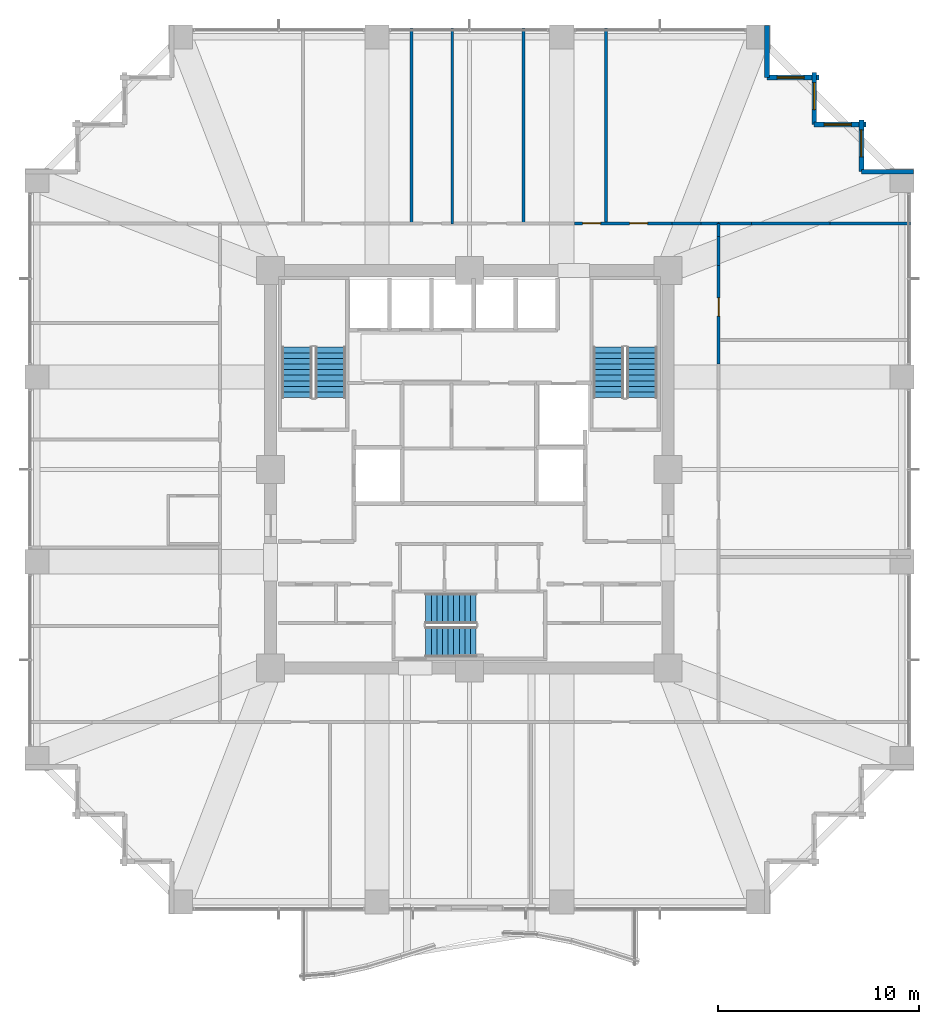
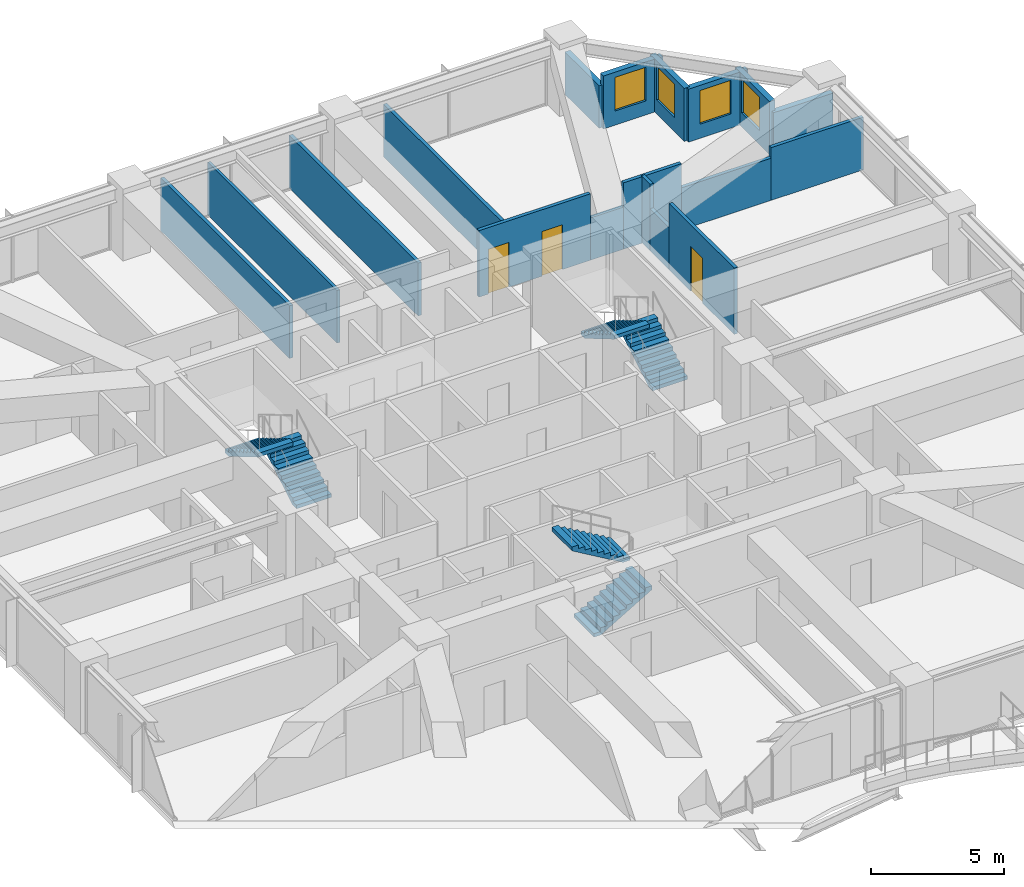
# One storey, part 36 of 37: 19 walls, 6 stair flights, 4 windows, 3 doors, 7 openings, 3 elements without a shape of their own.
"""IFC4 building model written with IfcOpenShell, lengths in metres."""

from ifc_helpers import new_model, si_unit, direction, frame, frame_2d, origin, place, context, subcontext, project, spatial, polyline, rectangle, outline, extrude, material, layer, layer_set, type_object, element, fill, aggregate, save


model = new_model("IFC4")

# Units and contexts
model_context = context("Model", 3, precision=1e-05, world=origin(), true_north=direction((0.0, 1.0)))
body_context = subcontext(model_context, "Body", "Model", "MODEL_VIEW")
ifc_project = project(units=[si_unit("LENGTHUNIT", "METRE"), si_unit("AREAUNIT", "SQUARE_METRE"), si_unit("VOLUMEUNIT", "CUBIC_METRE"), si_unit("PLANEANGLEUNIT", "RADIAN"), si_unit("MASSUNIT", "GRAM", prefix="KILO")], contexts=[model_context])

# Site, building, storey
site_placement = place(None, origin())
site = spatial("IfcSite", under=ifc_project, at=site_placement, CompositionType="ELEMENT")
building_placement = place(site_placement, origin())
building = spatial("IfcBuilding", under=site, at=building_placement, Name="Kolvaren Belvedere", CompositionType="ELEMENT")
storey_placement = place(building_placement, frame((0.0, 0.0, 37.0)))
storey = spatial("IfcBuildingStorey", under=building, at=storey_placement, Name="L10", CompositionType="ELEMENT", Elevation=37.0)

# Wall, openings, doors
ifc_material_1 = material(Name="Gypsum fire-rated partition assembly", Category="gypsum")
ifc_layer_1 = layer(ifc_material_1, 0.14990234375)
ifc_layer_set_1 = layer_set([ifc_layer_1], Name="Gypsum fire-rated partition assembly")
wall_type_1 = type_object("IfcWallType", Name="WL-CORR-150", PredefinedType="PARTITIONING", material=ifc_layer_set_1)
wall_1_placement = place(storey_placement, frame((5.241943359375, 12.260009765625, 0.0), z_axis=(0.0, 0.0, 1.0), x_axis=(1.0, 0.0, 0.0)))
wall_1 = element("IfcWall", 1, at=wall_1_placement, inside=storey, type_object=wall_type_1, Name="L10 North Corridor Wall", PredefinedType="PARTITIONING", context=body_context, shape_type="SweptSolid", body=[
    extrude(rectangle(XDim=4.849853515625, YDim=0.14990234375, at=frame_2d((2.4248046875, 0.0))), origin(), (0.0, 0.0, 1.0), 3.06005859375),
])
opening_1_placement = place(wall_1_placement, frame((0.401123046875, 0.0, 0.0)))
opening_1 = element("IfcOpeningElement", 2, at=opening_1_placement, cuts=wall_1, Name="Opening D-INT90", PredefinedType="OPENING", context=body_context, shape_type="SweptSolid", body=[
    extrude(rectangle(XDim=0.89990234375, YDim=2.06005859375, at=frame_2d((0.449951171875, 1.030029296875))), frame((0.0, 0.0849609375, 0.0), z_axis=(0.0, -1.0, 0.0), x_axis=(1.0, 0.0, 0.0)), (0.0, 0.0, 1.0), 0.169921875),
])
opening_2_placement = place(wall_1_placement, frame((2.736083984375, 0.0, 0.0)))
opening_2 = element("IfcOpeningElement", 3, at=opening_2_placement, cuts=wall_1, Name="Opening D-INT90", PredefinedType="OPENING", context=body_context, shape_type="SweptSolid", body=[
    extrude(rectangle(XDim=0.89990234375, YDim=2.06005859375, at=frame_2d((0.449951171875, 1.030029296875))), frame((0.0, 0.0849609375, 0.0), z_axis=(0.0, -1.0, 0.0), x_axis=(1.0, 0.0, 0.0)), (0.0, 0.0, 1.0), 0.169921875),
])
ifc_material_2 = material(Name="Stained Pacific white oak", Category="timber")
door_type = type_object("IfcDoorType", Name="DR-INT-900", OperationType="NOTDEFINED", PredefinedType="DOOR", material=ifc_material_2)
door_1_placement = place(opening_1_placement, origin())
door_1 = element("IfcDoor", 4, at=door_1_placement, inside=storey, type_object=door_type, Name="L10 Lounge 1014 Door", OperationType="SINGLE_SWING_RIGHT", OverallHeight=2.06005859375, OverallWidth=0.89990234375, PredefinedType="DOOR", context=body_context, shape_type="SweptSolid", body=[
    extrude(rectangle(XDim=0.89990234375, YDim=2.06005859375, at=frame_2d((0.449951171875, 1.030029296875))), frame((0.0, 0.02490234375, 0.0), z_axis=(0.0, -1.0, 0.0), x_axis=(1.0, 0.0, 0.0)), (0.0, 0.0, 1.0), 0.050048828125),
])
fill(opening_1, door_1)
door_2_placement = place(opening_2_placement, origin())
door_2 = element("IfcDoor", 5, at=door_2_placement, inside=storey, type_object=door_type, Name="L10 Lounge 1015 Door", OperationType="SINGLE_SWING_LEFT", OverallHeight=2.06005859375, OverallWidth=0.89990234375, PredefinedType="DOOR", context=body_context, shape_type="SweptSolid", body=[
    extrude(rectangle(XDim=0.89990234375, YDim=2.06005859375, at=frame_2d((0.449951171875, 1.030029296875))), frame((0.0, 0.02490234375, 0.0), z_axis=(0.0, -1.0, 0.0), x_axis=(1.0, 0.0, 0.0)), (0.0, 0.0, 1.0), 0.050048828125),
])
fill(opening_2, door_2)

# Walls
wall_2_placement = place(storey_placement, frame((10.091796875, 12.260009765625, 0.0), z_axis=(0.0, 0.0, 1.0), x_axis=(1.0, 0.0, 0.0)))
element("IfcWall", 6, at=wall_2_placement, inside=storey, type_object=wall_type_1, Name="L10 North Corridor Wall", PredefinedType="PARTITIONING", context=body_context, shape_type="SweptSolid", body=[
    extrude(rectangle(XDim=1.439453125, YDim=0.14990234375, at=frame_2d((0.7197265625, 0.0))), origin(), (0.0, 0.0, 1.0), 1.945068359375),
])
wall_3_placement = place(storey_placement, frame((11.53125, 12.260009765625, 0.0), z_axis=(0.0, 0.0, 1.0), x_axis=(1.0, 0.0, 0.0)))
element("IfcWall", 7, at=wall_3_placement, inside=storey, type_object=wall_type_1, Name="L10 North Corridor Wall", PredefinedType="PARTITIONING", context=body_context, shape_type="SweptSolid", body=[
    extrude(rectangle(XDim=0.888671875, YDim=0.14990234375, at=frame_2d((0.4443359375, 0.0))), origin(), (0.0, 0.0, 1.0), 3.06005859375),
])

# Wall, opening, door
wall_4_placement = place(storey_placement, frame((12.419921875, 5.241943359375, 0.0), z_axis=(0.0, 0.0, 1.0), x_axis=(0.0, 1.0, 0.0)))
wall_4 = element("IfcWall", 8, at=wall_4_placement, inside=storey, type_object=wall_type_1, Name="L10 East Corridor Wall", PredefinedType="PARTITIONING", context=body_context, shape_type="SweptSolid", body=[
    extrude(rectangle(XDim=4.911865234375, YDim=0.14990234375, at=frame_2d((2.4560546875, 0.0))), origin(), (0.0, 0.0, 1.0), 3.06005859375),
])
opening_3_placement = place(wall_4_placement, frame((2.3974609375, 0.0, 0.0)))
opening_3 = element("IfcOpeningElement", 9, at=opening_3_placement, cuts=wall_4, Name="Opening D-INT90", PredefinedType="OPENING", context=body_context, shape_type="SweptSolid", body=[
    extrude(rectangle(XDim=0.89990234375, YDim=2.06005859375, at=frame_2d((0.449951171875, 1.030029296875))), frame((0.0, 0.0849609375, 0.0), z_axis=(0.0, -1.0, 0.0), x_axis=(1.0, 0.0, 0.0)), (0.0, 0.0, 1.0), 0.169921875),
])
door_3_placement = place(opening_3_placement, origin())
door_3 = element("IfcDoor", 10, at=door_3_placement, inside=storey, type_object=door_type, Name="L10 Panoramic Quiet Lounge 1006 Door", OperationType="SINGLE_SWING_LEFT", OverallHeight=2.06005859375, OverallWidth=0.89990234375, PredefinedType="DOOR", context=body_context, shape_type="SweptSolid", body=[
    extrude(rectangle(XDim=0.89990234375, YDim=2.06005859375, at=frame_2d((0.449951171875, 1.030029296875))), frame((0.0, 0.02490234375, 0.0), z_axis=(0.0, -1.0, 0.0), x_axis=(1.0, 0.0, 0.0)), (0.0, 0.0, 1.0), 0.050048828125),
])
fill(opening_3, door_3)

# Walls
wall_5_placement = place(storey_placement, frame((12.419921875, 10.15380859375, 0.0), z_axis=(0.0, 0.0, 1.0), x_axis=(0.0, 1.0, 0.0)))
element("IfcWall", 11, at=wall_5_placement, inside=storey, type_object=wall_type_1, Name="L10 East Corridor Wall", PredefinedType="PARTITIONING", context=body_context, shape_type="SweptSolid", body=[
    extrude(rectangle(XDim=1.439208984375, YDim=0.14990234375, at=frame_2d((0.7197265625, 0.0))), origin(), (0.0, 0.0, 1.0), 1.945068359375),
])
wall_6_placement = place(storey_placement, frame((12.419921875, 11.593017578125, 0.0), z_axis=(0.0, 0.0, 1.0), x_axis=(0.0, 1.0, 0.0)))
element("IfcWall", 12, at=wall_6_placement, inside=storey, type_object=wall_type_1, Name="L10 East Corridor Wall", PredefinedType="PARTITIONING", context=body_context, shape_type="SweptSolid", body=[
    extrude(rectangle(XDim=0.6669921875, YDim=0.14990234375, at=frame_2d((0.33349609375, 0.0))), origin(), (0.0, 0.0, 1.0), 3.06005859375),
])
ifc_material_3 = material(Name="Insulated pale-metal facade wall assembly", Category="aluminium")
ifc_layer_2 = layer(ifc_material_3, 0.239990234375)
ifc_layer_set_2 = layer_set([ifc_layer_2], Name="Insulated pale-metal facade wall assembly")
wall_type_2 = type_object("IfcWallType", Name="WL-EXT-240", PredefinedType="STANDARD", material=ifc_layer_set_2)
wall_7_placement = place(storey_placement, frame((19.530029296875, 14.830078125, 0.0), z_axis=(0.0, 0.0, 1.0), x_axis=(1.0, 0.0, 0.0)))
element("IfcWall", 13, at=wall_7_placement, inside=storey, type_object=wall_type_2, Name="L10 Serrated Corner Facade Wall 9", PredefinedType="STANDARD", context=body_context, shape_type="SweptSolid", body=[
    extrude(rectangle(XDim=2.590087890625, YDim=0.239990234375, at=frame_2d((1.294921875, 0.0))), origin(), (0.0, 0.0, 1.0), 1.955078125),
])

# Wall, opening, window
wall_8_placement = place(storey_placement, frame((19.530029296875, 17.419921875, 0.0), z_axis=(0.0, 0.0, 1.0), x_axis=(0.0, -1.0, 0.0)))
wall_8 = element("IfcWall", 14, at=wall_8_placement, inside=storey, type_object=wall_type_2, Name="L10 Serrated Corner Facade Wall 10", PredefinedType="STANDARD", context=body_context, shape_type="SweptSolid", body=[
    extrude(rectangle(XDim=2.58984375, YDim=0.239990234375, at=frame_2d((1.294921875, 0.0))), origin(), (0.0, 0.0, 1.0), 2.43896484375),
])
opening_4_placement = place(wall_8_placement, frame((0.5, 0.0, 0.64990234375)))
opening_4 = element("IfcOpeningElement", 15, at=opening_4_placement, cuts=wall_8, Name="Opening W-1350", PredefinedType="OPENING", context=body_context, shape_type="SweptSolid", body=[
    extrude(rectangle(XDim=1.35009765625, YDim=1.550048828125, at=frame_2d((0.675048828125, 0.77490234375))), frame((0.0, 0.1298828125, 0.0), z_axis=(0.0, -1.0, 0.0), x_axis=(1.0, 0.0, 0.0)), (0.0, 0.0, 1.0), 0.260009765625),
])
ifc_material_4 = material(Name="Low-iron triple insulated glass", Category="glass")
window_type = type_object("IfcWindowType", Name="WN-CORN-1350", PartitioningType="SINGLE_PANEL", PredefinedType="WINDOW", material=ifc_material_4)
window_1_placement = place(opening_4_placement, origin())
window_1 = element("IfcWindow", 16, at=window_1_placement, inside=storey, type_object=window_type, Name="L10 Serrated Corner Vision Window 10", OverallHeight=1.550048828125, OverallWidth=1.35009765625, PartitioningType="SINGLE_PANEL", PredefinedType="WINDOW", context=body_context, shape_type="SweptSolid", body=[
    extrude(rectangle(XDim=1.35009765625, YDim=1.550048828125, at=frame_2d((0.675048828125, 0.77490234375))), frame((0.0, 0.030029296875, 0.0), z_axis=(0.0, -1.0, 0.0), x_axis=(1.0, 0.0, 0.0)), (0.0, 0.0, 1.0), 0.06005859375),
])
fill(opening_4, window_1)

wall_9_placement = place(storey_placement, frame((17.179931640625, 17.179931640625, 0.0), z_axis=(0.0, 0.0, 1.0), x_axis=(1.0, 0.0, 0.0)))
wall_9 = element("IfcWall", 17, at=wall_9_placement, inside=storey, type_object=wall_type_2, Name="L10 Serrated Corner Facade Wall 11", PredefinedType="STANDARD", context=body_context, shape_type="SweptSolid", body=[
    extrude(rectangle(XDim=2.590087890625, YDim=0.239990234375, at=frame_2d((1.294921875, 0.0))), origin(), (0.0, 0.0, 1.0), 2.43896484375),
])
opening_5_placement = place(wall_9_placement, frame((0.5, 0.0, 0.64990234375)))
opening_5 = element("IfcOpeningElement", 18, at=opening_5_placement, cuts=wall_9, Name="Opening W-1350", PredefinedType="OPENING", context=body_context, shape_type="SweptSolid", body=[
    extrude(rectangle(XDim=1.35009765625, YDim=1.550048828125, at=frame_2d((0.675048828125, 0.77490234375))), frame((0.0, 0.1298828125, 0.0), z_axis=(0.0, -1.0, 0.0), x_axis=(1.0, 0.0, 0.0)), (0.0, 0.0, 1.0), 0.260009765625),
])
window_2_placement = place(opening_5_placement, origin())
window_2 = element("IfcWindow", 19, at=window_2_placement, inside=storey, type_object=window_type, Name="L10 Serrated Corner Vision Window 11", OverallHeight=1.550048828125, OverallWidth=1.35009765625, PartitioningType="SINGLE_PANEL", PredefinedType="WINDOW", context=body_context, shape_type="SweptSolid", body=[
    extrude(rectangle(XDim=1.35009765625, YDim=1.550048828125, at=frame_2d((0.675048828125, 0.77490234375))), frame((0.0, 0.030029296875, 0.0), z_axis=(0.0, -1.0, 0.0), x_axis=(1.0, 0.0, 0.0)), (0.0, 0.0, 1.0), 0.06005859375),
])
fill(opening_5, window_2)

wall_10_placement = place(storey_placement, frame((17.179931640625, 19.77001953125, 0.0), z_axis=(0.0, 0.0, 1.0), x_axis=(0.0, -1.0, 0.0)))
wall_10 = element("IfcWall", 20, at=wall_10_placement, inside=storey, type_object=wall_type_2, Name="L10 Serrated Corner Facade Wall 12", PredefinedType="STANDARD", context=body_context, shape_type="SweptSolid", body=[
    extrude(rectangle(XDim=2.590087890625, YDim=0.239990234375, at=frame_2d((1.294921875, 0.0))), origin(), (0.0, 0.0, 1.0), 2.43896484375),
])
opening_6_placement = place(wall_10_placement, frame((0.5, 0.0, 0.64990234375)))
opening_6 = element("IfcOpeningElement", 21, at=opening_6_placement, cuts=wall_10, Name="Opening W-1350", PredefinedType="OPENING", context=body_context, shape_type="SweptSolid", body=[
    extrude(rectangle(XDim=1.35009765625, YDim=1.550048828125, at=frame_2d((0.675048828125, 0.77490234375))), frame((0.0, 0.1298828125, 0.0), z_axis=(0.0, -1.0, 0.0), x_axis=(1.0, 0.0, 0.0)), (0.0, 0.0, 1.0), 0.260009765625),
])
window_3_placement = place(opening_6_placement, origin())
window_3 = element("IfcWindow", 22, at=window_3_placement, inside=storey, type_object=window_type, Name="L10 Serrated Corner Vision Window 12", OverallHeight=1.550048828125, OverallWidth=1.35009765625, PartitioningType="SINGLE_PANEL", PredefinedType="WINDOW", context=body_context, shape_type="SweptSolid", body=[
    extrude(rectangle(XDim=1.35009765625, YDim=1.550048828125, at=frame_2d((0.675048828125, 0.77490234375))), frame((0.0, 0.030029296875, 0.0), z_axis=(0.0, -1.0, 0.0), x_axis=(1.0, 0.0, 0.0)), (0.0, 0.0, 1.0), 0.06005859375),
])
fill(opening_6, window_3)

wall_11_placement = place(storey_placement, frame((14.830078125, 19.530029296875, 0.0), z_axis=(0.0, 0.0, 1.0), x_axis=(1.0, 0.0, 0.0)))
wall_11 = element("IfcWall", 23, at=wall_11_placement, inside=storey, type_object=wall_type_2, Name="L10 Serrated Corner Facade Wall 13", PredefinedType="STANDARD", context=body_context, shape_type="SweptSolid", body=[
    extrude(rectangle(XDim=2.58984375, YDim=0.239990234375, at=frame_2d((1.294921875, 0.0))), origin(), (0.0, 0.0, 1.0), 2.43896484375),
])
opening_7_placement = place(wall_11_placement, frame((0.5, 0.0, 0.64990234375)))
opening_7 = element("IfcOpeningElement", 24, at=opening_7_placement, cuts=wall_11, Name="Opening W-1350", PredefinedType="OPENING", context=body_context, shape_type="SweptSolid", body=[
    extrude(rectangle(XDim=1.35009765625, YDim=1.550048828125, at=frame_2d((0.675048828125, 0.77490234375))), frame((0.0, 0.1298828125, 0.0), z_axis=(0.0, -1.0, 0.0), x_axis=(1.0, 0.0, 0.0)), (0.0, 0.0, 1.0), 0.260009765625),
])
window_4_placement = place(opening_7_placement, origin())
window_4 = element("IfcWindow", 25, at=window_4_placement, inside=storey, type_object=window_type, Name="L10 Serrated Corner Vision Window 13", OverallHeight=1.550048828125, OverallWidth=1.35009765625, PartitioningType="SINGLE_PANEL", PredefinedType="WINDOW", context=body_context, shape_type="SweptSolid", body=[
    extrude(rectangle(XDim=1.35009765625, YDim=1.550048828125, at=frame_2d((0.675048828125, 0.77490234375))), frame((0.0, 0.030029296875, 0.0), z_axis=(0.0, -1.0, 0.0), x_axis=(1.0, 0.0, 0.0)), (0.0, 0.0, 1.0), 0.06005859375),
])
fill(opening_7, window_4)

# Walls
wall_12_placement = place(storey_placement, frame((14.830078125, 22.1201171875, 0.0), z_axis=(0.0, 0.0, 1.0), x_axis=(0.0, -1.0, 0.0)))
element("IfcWall", 26, at=wall_12_placement, inside=storey, type_object=wall_type_2, Name="L10 Serrated Corner Facade Wall 14", PredefinedType="STANDARD", context=body_context, shape_type="SweptSolid", body=[
    extrude(rectangle(XDim=2.590087890625, YDim=0.239990234375, at=frame_2d((1.294921875, 0.0))), origin(), (0.0, 0.0, 1.0), 1.955078125),
])
ifc_material_5 = material(Name="Gypsum acoustic partition assembly", Category="gypsum")
ifc_layer_3 = layer(ifc_material_5, 0.14990234375)
ifc_layer_set_3 = layer_set([ifc_layer_3], Name="Gypsum acoustic partition assembly")
wall_type_3 = type_object("IfcWallType", Name="WL-PART-150", PredefinedType="PARTITIONING", material=ifc_layer_set_3)
wall_13_placement = place(storey_placement, frame((12.419921875, 12.260009765625, 0.0), z_axis=(0.0, 0.0, 1.0), x_axis=(1.0, 0.0, 0.0)))
element("IfcWall", 27, at=wall_13_placement, inside=storey, type_object=wall_type_3, Name="L10 Wing Divider PW-L10-QNE", PredefinedType="PARTITIONING", context=body_context, shape_type="SweptSolid", body=[
    extrude(rectangle(XDim=1.63623046875, YDim=0.14990234375, at=frame_2d((0.818115234375, 0.0))), origin(), (0.0, 0.0, 1.0), 3.06005859375),
])
wall_14_placement = place(storey_placement, frame((14.05615234375, 12.260009765625, 0.0), z_axis=(0.0, 0.0, 1.0), x_axis=(1.0, 0.0, 0.0)))
element("IfcWall", 28, at=wall_14_placement, inside=storey, type_object=wall_type_3, Name="L10 Wing Divider PW-L10-QNE", PredefinedType="PARTITIONING", context=body_context, shape_type="SweptSolid", body=[
    extrude(rectangle(XDim=3.9072265625, YDim=0.14990234375, at=frame_2d((1.95361328125, 0.0))), origin(), (0.0, 0.0, 1.0), 1.945068359375),
])
wall_15_placement = place(storey_placement, frame((17.96337890625, 12.260009765625, 0.0), z_axis=(0.0, 0.0, 1.0), x_axis=(1.0, 0.0, 0.0)))
element("IfcWall", 29, at=wall_15_placement, inside=storey, type_object=wall_type_3, Name="L10 Wing Divider PW-L10-QNE", PredefinedType="PARTITIONING", context=body_context, shape_type="SweptSolid", body=[
    extrude(rectangle(XDim=4.0166015625, YDim=0.14990234375, at=frame_2d((2.00830078125, 0.0))), origin(), (0.0, 0.0, 1.0), 2.428955078125),
])
for number, where, z_axis, x_axis, name in (
    (30, (-2.89599609375, 12.260009765625, 0.0), (0.0, 0.0, 1.0), (0.0, 1.0, 0.0), "L10 North Suite Demising Wall 2"),
    (31, (2.7041015625, 12.260009765625, 0.0), (0.0, 0.0, 1.0), (0.0, 1.0, 0.0), "L10 North Suite Demising Wall 3"),
    (32, (6.803955078125, 12.260009765625, 0.0), (0.0, 0.0, 1.0), (0.0, 1.0, 0.0), "L10 North Suite Demising Wall 4"),
):
    element("IfcWall", number, at=place(storey_placement, frame(where, z_axis=z_axis, x_axis=x_axis)), inside=storey, type_object=wall_type_3, Name=name, PredefinedType="PARTITIONING", context=body_context, shape_type="SweptSolid", body=[
        extrude(rectangle(XDim=9.719970703125, YDim=0.14990234375, at=frame_2d((4.85986328125, 0.0))), origin(), (0.0, 0.0, 1.0), 2.428955078125),
    ])
ifc_material_6 = material(Name="Moisture-resistant gypsum partition", Category="gypsum")
ifc_layer_4 = layer(ifc_material_6, 0.125)
ifc_layer_set_4 = layer_set([ifc_layer_4], Name="Moisture-resistant gypsum partition")
wall_type_4 = type_object("IfcWallType", Name="WL-WET-125", PredefinedType="PARTITIONING", material=ifc_layer_set_4)
wall_16_placement = place(storey_placement, frame((-0.85400390625, 12.235107421875, 0.0), z_axis=(0.0, 0.0, 1.0), x_axis=(0.0, 1.0, 0.0)))
element("IfcWall", 33, at=wall_16_placement, inside=storey, type_object=wall_type_4, Name="L10 Housekeeping Washroom Divider", PredefinedType="PARTITIONING", context=body_context, shape_type="SweptSolid", body=[
    extrude(rectangle(XDim=9.744873046875, YDim=0.125, at=frame_2d((4.87255859375, 0.0))), origin(), (0.0, 0.0, 1.0), 2.428955078125),
])

# Stair, stair flights
ifc_material_7 = material(Name="Concrete C50/60", Category="concrete")
stair_type = type_object("IfcStairType", Name="ST-CORE-1520", PredefinedType="HALF_TURN_STAIR", material=ifc_material_7)
stair_1_placement = place(storey_placement, origin())
stair_1 = element("IfcStair", 34, at=stair_1_placement, inside=storey, type_object=stair_type, Name="L10 Protected Exit Stair ST-1", PredefinedType="HALF_TURN_STAIR")
ifc_material_8 = material(Name="Concrete C50/60", Category="concrete")
stair_flight_type = type_object("IfcStairFlightType", Name="SF-STR-1520", PredefinedType="STRAIGHT", material=ifc_material_8)
stair_flight_1_placement = place(storey_placement, frame((-6.919921875, 3.570068359375, 0.0), z_axis=(0.0, 0.0, 1.0), x_axis=(0.0, 1.0, 0.0)))
stair_flight_1 = element("IfcStairFlight", 35, at=stair_flight_1_placement, type_object=stair_flight_type, Name="ST-1 flight 1", NumberOfRisers=10, NumberOfTreads=9, PredefinedType="STRAIGHT", RiserHeight=0.165, TreadLength=0.28, context=body_context, shape_type="SweptSolid", body=[
    extrude(outline(polyline([(0.0, 0.0), (0.0, 0.1650390625), (0.280029296875, 0.1650390625), (0.280029296875, 0.330078125), (0.56005859375, 0.330078125), (0.56005859375, 0.4951171875), (0.840087890625, 0.4951171875), (0.840087890625, 0.659912109375), (1.1201171875, 0.659912109375), (1.1201171875, 0.824951171875), (1.39990234375, 0.824951171875), (1.39990234375, 0.989990234375), (1.679931640625, 0.989990234375), (1.679931640625, 1.155029296875), (1.9599609375, 1.155029296875), (1.9599609375, 1.320068359375), (2.239990234375, 1.320068359375), (2.239990234375, 1.485107421875), (2.52001953125, 1.485107421875), (2.52001953125, 1.64990234375), (2.52001953125, 1.31103515625), (0.295166015625, 0.0), (0.0, 0.0)])), frame((0.0, 0.760009765625, 0.0), z_axis=(0.0, -1.0, 0.0), x_axis=(1.0, 0.0, 0.0)), (0.0, 0.0, 1.0), 1.52001953125),
])
stair_flight_2_placement = place(storey_placement, frame((-8.590087890625, 6.090087890625, 1.64990234375), z_axis=(0.0, 0.0, 1.0), x_axis=(0.0, -1.0, 0.0)))
stair_flight_2 = element("IfcStairFlight", 36, at=stair_flight_2_placement, type_object=stair_flight_type, Name="ST-1 flight 2", NumberOfRisers=10, NumberOfTreads=9, PredefinedType="STRAIGHT", RiserHeight=0.165, TreadLength=0.28, context=body_context, shape_type="SweptSolid", body=[
    extrude(outline(polyline([(0.0, 0.0), (0.0, 0.1650390625), (0.280029296875, 0.1650390625), (0.280029296875, 0.330078125), (0.56005859375, 0.330078125), (0.56005859375, 0.4951171875), (0.840087890625, 0.4951171875), (0.840087890625, 0.659912109375), (1.1201171875, 0.659912109375), (1.1201171875, 0.824951171875), (1.39990234375, 0.824951171875), (1.39990234375, 0.989990234375), (1.679931640625, 0.989990234375), (1.679931640625, 1.155029296875), (1.9599609375, 1.155029296875), (1.9599609375, 1.320068359375), (2.239990234375, 1.320068359375), (2.239990234375, 1.485107421875), (2.52001953125, 1.485107421875), (2.52001953125, 1.64990234375), (2.52001953125, 1.31103515625), (0.295166015625, 0.0), (0.0, 0.0)])), frame((0.0, 0.760009765625, 0.0), z_axis=(0.0, -1.0, 0.0), x_axis=(1.0, 0.0, 0.0)), (0.0, 0.0, 1.0), 1.52001953125),
])
aggregate(stair_1, [stair_flight_1, stair_flight_2])

stair_2_placement = place(storey_placement, origin())
stair_2 = element("IfcStair", 37, at=stair_2_placement, inside=storey, type_object=stair_type, Name="L10 Protected Exit Stair ST-2", PredefinedType="HALF_TURN_STAIR")
stair_flight_3_placement = place(storey_placement, frame((8.590087890625, 3.570068359375, 0.0), z_axis=(0.0, 0.0, 1.0), x_axis=(0.0, 1.0, 0.0)))
stair_flight_3 = element("IfcStairFlight", 38, at=stair_flight_3_placement, type_object=stair_flight_type, Name="ST-2 flight 1", NumberOfRisers=10, NumberOfTreads=9, PredefinedType="STRAIGHT", RiserHeight=0.165, TreadLength=0.28, context=body_context, shape_type="SweptSolid", body=[
    extrude(outline(polyline([(0.0, 0.0), (0.0, 0.1650390625), (0.280029296875, 0.1650390625), (0.280029296875, 0.330078125), (0.56005859375, 0.330078125), (0.56005859375, 0.4951171875), (0.840087890625, 0.4951171875), (0.840087890625, 0.659912109375), (1.1201171875, 0.659912109375), (1.1201171875, 0.824951171875), (1.39990234375, 0.824951171875), (1.39990234375, 0.989990234375), (1.679931640625, 0.989990234375), (1.679931640625, 1.155029296875), (1.9599609375, 1.155029296875), (1.9599609375, 1.320068359375), (2.239990234375, 1.320068359375), (2.239990234375, 1.485107421875), (2.52001953125, 1.485107421875), (2.52001953125, 1.64990234375), (2.52001953125, 1.31103515625), (0.295166015625, 0.0), (0.0, 0.0)])), frame((0.0, 0.760009765625, 0.0), z_axis=(0.0, -1.0, 0.0), x_axis=(1.0, 0.0, 0.0)), (0.0, 0.0, 1.0), 1.52001953125),
])
stair_flight_4_placement = place(storey_placement, frame((6.919921875, 6.090087890625, 1.64990234375), z_axis=(0.0, 0.0, 1.0), x_axis=(0.0, -1.0, 0.0)))
stair_flight_4 = element("IfcStairFlight", 39, at=stair_flight_4_placement, type_object=stair_flight_type, Name="ST-2 flight 2", NumberOfRisers=10, NumberOfTreads=9, PredefinedType="STRAIGHT", RiserHeight=0.165, TreadLength=0.28, context=body_context, shape_type="SweptSolid", body=[
    extrude(outline(polyline([(0.0, 0.0), (0.0, 0.1650390625), (0.280029296875, 0.1650390625), (0.280029296875, 0.330078125), (0.56005859375, 0.330078125), (0.56005859375, 0.4951171875), (0.840087890625, 0.4951171875), (0.840087890625, 0.659912109375), (1.1201171875, 0.659912109375), (1.1201171875, 0.824951171875), (1.39990234375, 0.824951171875), (1.39990234375, 0.989990234375), (1.679931640625, 0.989990234375), (1.679931640625, 1.155029296875), (1.9599609375, 1.155029296875), (1.9599609375, 1.320068359375), (2.239990234375, 1.320068359375), (2.239990234375, 1.485107421875), (2.52001953125, 1.485107421875), (2.52001953125, 1.64990234375), (2.52001953125, 1.31103515625), (0.295166015625, 0.0), (0.0, 0.0)])), frame((0.0, 0.760009765625, 0.0), z_axis=(0.0, -1.0, 0.0), x_axis=(1.0, 0.0, 0.0)), (0.0, 0.0, 1.0), 1.52001953125),
])
aggregate(stair_2, [stair_flight_3, stair_flight_4])

stair_3_placement = place(storey_placement, origin())
stair_3 = element("IfcStair", 40, at=stair_3_placement, inside=storey, type_object=stair_type, Name="L10 Protected Exit Stair ST-3", PredefinedType="HALF_TURN_STAIR")
stair_flight_5_placement = place(storey_placement, frame((-2.179931640625, -8.590087890625, 0.0), z_axis=(0.0, 0.0, 1.0), x_axis=(1.0, 0.0, 0.0)))
stair_flight_5 = element("IfcStairFlight", 41, at=stair_flight_5_placement, type_object=stair_flight_type, Name="ST-3 flight 1", NumberOfRisers=10, NumberOfTreads=9, PredefinedType="STRAIGHT", RiserHeight=0.165, TreadLength=0.28, context=body_context, shape_type="SweptSolid", body=[
    extrude(outline(polyline([(0.0, 0.0), (0.0, 0.1650390625), (0.280029296875, 0.1650390625), (0.280029296875, 0.330078125), (0.56005859375, 0.330078125), (0.56005859375, 0.4951171875), (0.840087890625, 0.4951171875), (0.840087890625, 0.659912109375), (1.1201171875, 0.659912109375), (1.1201171875, 0.824951171875), (1.39990234375, 0.824951171875), (1.39990234375, 0.989990234375), (1.679931640625, 0.989990234375), (1.679931640625, 1.155029296875), (1.9599609375, 1.155029296875), (1.9599609375, 1.320068359375), (2.239990234375, 1.320068359375), (2.239990234375, 1.485107421875), (2.52001953125, 1.485107421875), (2.52001953125, 1.64990234375), (2.52001953125, 1.31103515625), (0.295166015625, 0.0), (0.0, 0.0)])), frame((0.0, 0.760009765625, 0.0), z_axis=(0.0, -1.0, 0.0), x_axis=(1.0, 0.0, 0.0)), (0.0, 0.0, 1.0), 1.52001953125),
])
stair_flight_6_placement = place(storey_placement, frame((0.340087890625, -6.919921875, 1.64990234375), z_axis=(0.0, 0.0, 1.0), x_axis=(-1.0, 0.0, 0.0)))
stair_flight_6 = element("IfcStairFlight", 42, at=stair_flight_6_placement, type_object=stair_flight_type, Name="ST-3 flight 2", NumberOfRisers=10, NumberOfTreads=9, PredefinedType="STRAIGHT", RiserHeight=0.165, TreadLength=0.28, context=body_context, shape_type="SweptSolid", body=[
    extrude(outline(polyline([(0.0, 0.0), (0.0, 0.1650390625), (0.280029296875, 0.1650390625), (0.280029296875, 0.330078125), (0.56005859375, 0.330078125), (0.56005859375, 0.4951171875), (0.840087890625, 0.4951171875), (0.840087890625, 0.659912109375), (1.1201171875, 0.659912109375), (1.1201171875, 0.824951171875), (1.39990234375, 0.824951171875), (1.39990234375, 0.989990234375), (1.679931640625, 0.989990234375), (1.679931640625, 1.155029296875), (1.9599609375, 1.155029296875), (1.9599609375, 1.320068359375), (2.239990234375, 1.320068359375), (2.239990234375, 1.485107421875), (2.52001953125, 1.485107421875), (2.52001953125, 1.64990234375), (2.52001953125, 1.31103515625), (0.295166015625, 0.0), (0.0, 0.0)])), frame((0.0, 0.760009765625, 0.0), z_axis=(0.0, -1.0, 0.0), x_axis=(1.0, 0.0, 0.0)), (0.0, 0.0, 1.0), 1.52001953125),
])
aggregate(stair_3, [stair_flight_5, stair_flight_6])

save(model, "model.ifc")
